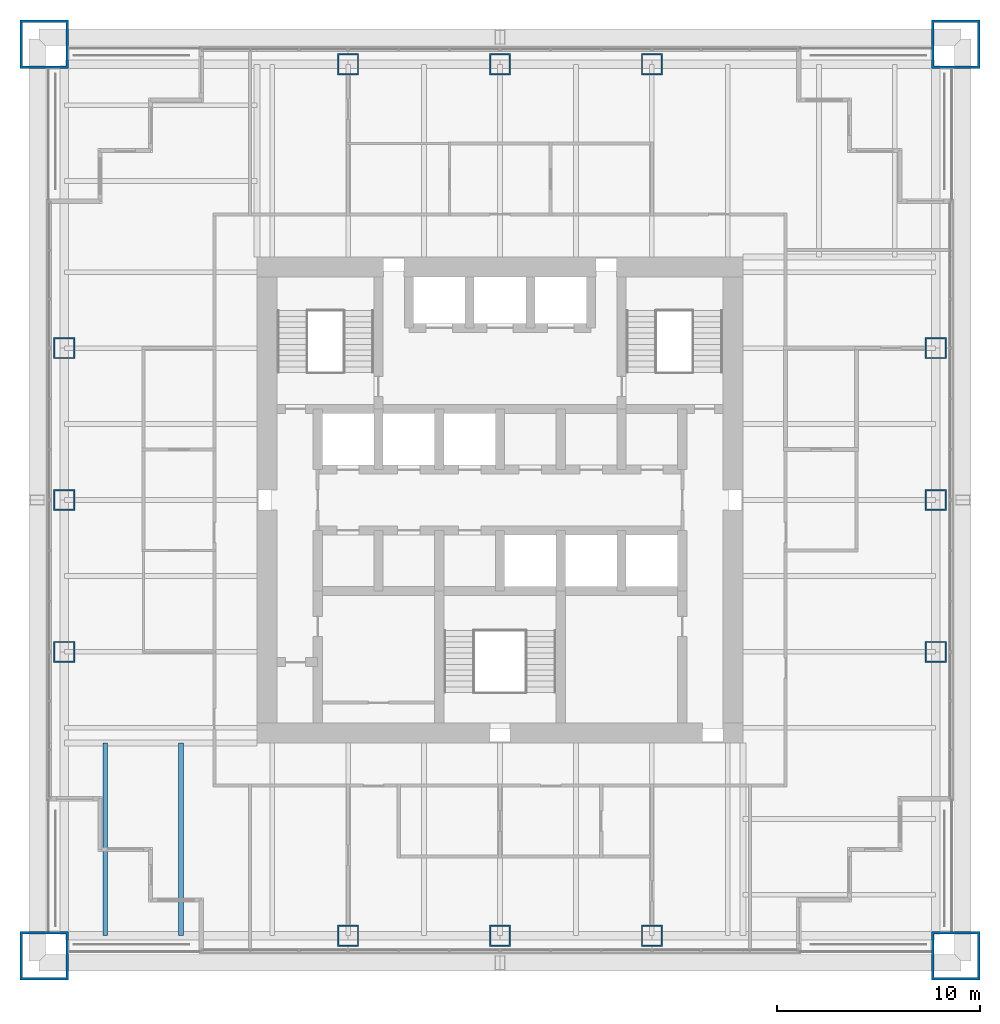
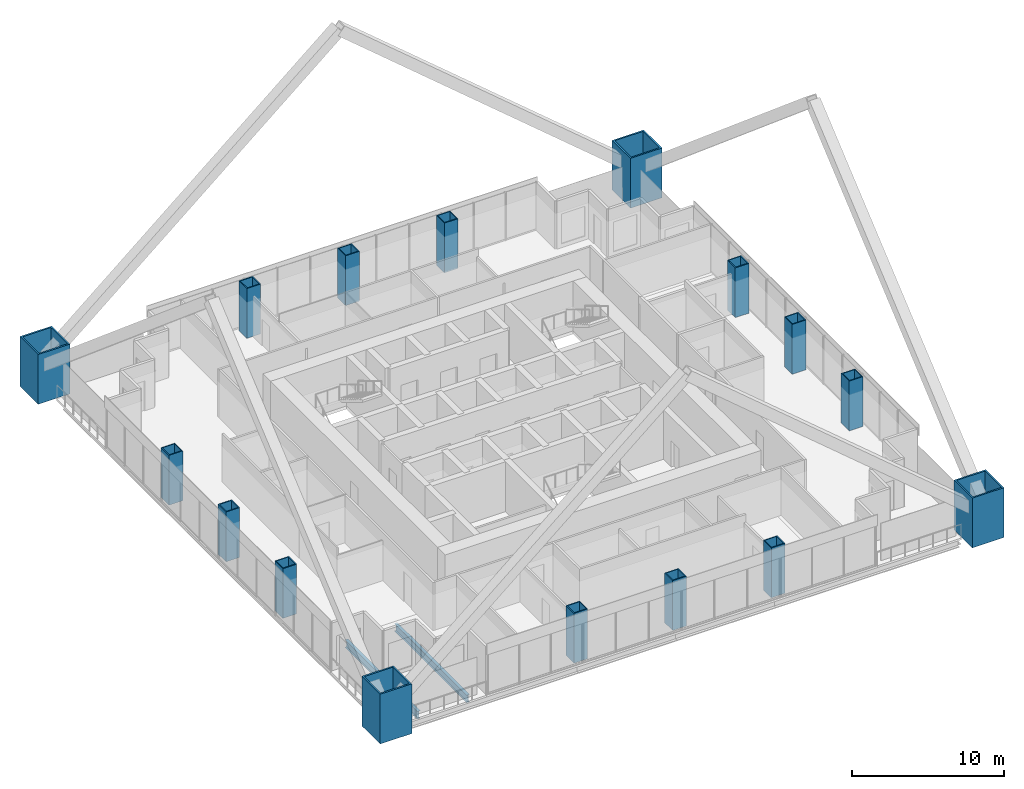
# One storey, part 1 of 19: 16 columns, 2 beams.
"""IFC4 building model written with IfcOpenShell, lengths in metres."""

from ifc_helpers import new_model, si_unit, direction, frame, origin, origin_2d, place, context, subcontext, project, spatial, hollow_rectangle, i_section, extrude, material, material_profile, profile_set, type_object, element, save


model = new_model("IFC4")

# Units and contexts
model_context = context("Model", 3, precision=1e-05, world=origin(), true_north=direction((0.0, 1.0)))
body_context = subcontext(model_context, "Body", "Model", "MODEL_VIEW")
ifc_project = project(units=[si_unit("LENGTHUNIT", "METRE"), si_unit("AREAUNIT", "SQUARE_METRE"), si_unit("VOLUMEUNIT", "CUBIC_METRE"), si_unit("PLANEANGLEUNIT", "RADIAN"), si_unit("MASSUNIT", "GRAM", prefix="KILO")], contexts=[model_context])

# Site, building, storey
site_placement = place(None, origin())
site = spatial("IfcSite", under=ifc_project, at=site_placement, CompositionType="ELEMENT")
building_placement = place(site_placement, origin())
building = spatial("IfcBuilding", under=site, at=building_placement, Name="Tarangal Relay Tower", CompositionType="ELEMENT")
storey_placement = place(building_placement, frame((0.0, 0.0, 213.89990234375)))
storey = spatial("IfcBuildingStorey", under=building, at=storey_placement, Name="L45", CompositionType="ELEMENT", Elevation=213.89990234375)

# Columns
ifc_material_1 = material(Name="Steel ASTM A572 Grade 42", Category="steel")
ifc_material_profile_1 = material_profile(ifc_material_1, hollow_rectangle(XDim=2.39990234375, YDim=2.39990234375, WallThickness=0.1201171875, at=origin_2d()), Name="BOX2400X2400X120")
ifc_profile_set_1 = profile_set([ifc_material_profile_1], Name="Steel ASTM A572 Grade 42")
column_type_1 = type_object("IfcColumnType", Name="Mega column BOX2400X2400X120", PredefinedType="COLUMN", material=ifc_profile_set_1)
for number, where, z_axis, x_axis, name in (
    (1, (22.5, 22.5, 0.0), (0.0, 0.0, 1.0), (1.0, 0.0, 0.0), "Mega column MC3 NE L45"),
    (2, (22.5, -22.5, 0.0), (0.0, 0.0, 1.0), (1.0, 0.0, 0.0), "Mega column MC3 SE L45"),
    (3, (-22.5, -22.5, 0.0), (0.0, 0.0, 1.0), (1.0, 0.0, 0.0), "Mega column MC3 SW L45"),
    (4, (-22.5, 22.5, 0.0), (0.0, 0.0, 1.0), (1.0, 0.0, 0.0), "Mega column MC3 NW L45"),
):
    element("IfcColumn", number, at=place(storey_placement, frame(where, z_axis=z_axis, x_axis=x_axis)), inside=storey, type_object=column_type_1, Name=name, PredefinedType="COLUMN", context=body_context, shape_type="SweptSolid", body=[
        extrude(hollow_rectangle(XDim=2.39990234375, YDim=2.39990234375, WallThickness=0.1201171875, at=origin_2d()), origin(), (0.0, 0.0, 1.0), 4.0),
    ])
ifc_material_2 = material(Name="Steel ASTM A572 Grade 50", Category="steel")
ifc_material_profile_2 = material_profile(ifc_material_2, hollow_rectangle(XDim=1.050048828125, YDim=1.050048828125, WallThickness=0.070068359375, at=origin_2d()), Name="BOX1050X1050X70")
ifc_profile_set_2 = profile_set([ifc_material_profile_2], Name="Steel ASTM A572 Grade 50")
column_type_2 = type_object("IfcColumnType", Name="Perimeter column BOX1050X1050X70", PredefinedType="COLUMN", material=ifc_profile_set_2)
for number, where, z_axis, x_axis, name in (
    (5, (-7.5, 21.514892578125, 0.0), (0.0, 0.0, 1.0), (1.0, 0.0, 0.0), "Perimeter column PC4 N L45"),
    (6, (0.0, 21.514892578125, 0.0), (0.0, 0.0, 1.0), (1.0, 0.0, 0.0), "Perimeter column PC4 N L45"),
    (7, (7.5, 21.514892578125, 0.0), (0.0, 0.0, 1.0), (1.0, 0.0, 0.0), "Perimeter column PC4 N L45"),
    (8, (21.514892578125, 7.5, 0.0), (0.0, 0.0, 1.0), (1.0, 0.0, 0.0), "Perimeter column PC4 E L45"),
    (9, (21.514892578125, 0.0, 0.0), (0.0, 0.0, 1.0), (1.0, 0.0, 0.0), "Perimeter column PC4 E L45"),
    (10, (21.514892578125, -7.5, 0.0), (0.0, 0.0, 1.0), (1.0, 0.0, 0.0), "Perimeter column PC4 E L45"),
    (11, (7.5, -21.514892578125, 0.0), (0.0, 0.0, 1.0), (1.0, 0.0, 0.0), "Perimeter column PC4 S L45"),
    (12, (0.0, -21.514892578125, 0.0), (0.0, 0.0, 1.0), (1.0, 0.0, 0.0), "Perimeter column PC4 S L45"),
    (13, (-7.5, -21.514892578125, 0.0), (0.0, 0.0, 1.0), (1.0, 0.0, 0.0), "Perimeter column PC4 S L45"),
    (14, (-21.514892578125, -7.5, 0.0), (0.0, 0.0, 1.0), (1.0, 0.0, 0.0), "Perimeter column PC4 W L45"),
    (15, (-21.514892578125, 0.0, 0.0), (0.0, 0.0, 1.0), (1.0, 0.0, 0.0), "Perimeter column PC4 W L45"),
    (16, (-21.514892578125, 7.5, 0.0), (0.0, 0.0, 1.0), (1.0, 0.0, 0.0), "Perimeter column PC4 W L45"),
):
    element("IfcColumn", number, at=place(storey_placement, frame(where, z_axis=z_axis, x_axis=x_axis)), inside=storey, type_object=column_type_2, Name=name, PredefinedType="COLUMN", context=body_context, shape_type="SweptSolid", body=[
        extrude(hollow_rectangle(XDim=1.050048828125, YDim=1.050048828125, WallThickness=0.070068359375, at=origin_2d()), origin(), (0.0, 0.0, 1.0), 4.0),
    ])

# Beams
ifc_material_3 = material(Name="Steel ASTM A992", Category="steel")
ifc_material_profile_3 = material_profile(ifc_material_3, i_section(OverallWidth=0.227783203125, OverallDepth=0.60205078125, WebThickness=0.010498046875, FlangeThickness=0.014892578125, at=origin_2d()), Name="W24X68")
ifc_profile_set_3 = profile_set([ifc_material_profile_3], Name="Steel ASTM A992")
beam_type = type_object("IfcBeamType", Name="Corner beam W24X68", PredefinedType="JOIST", material=ifc_profile_set_3)
for number, where, z_axis, x_axis, name in (
    (17, (-15.75, -12.0, -0.450927734375), (0.0, -1.0, 0.0), (1.0, 0.0, 0.0), "Corner beam CB11 S L45"),
    (18, (-19.5, -12.0, -0.450927734375), (0.0, -1.0, 0.0), (1.0, 0.0, 0.0), "Corner beam CB11 S L45"),
):
    element("IfcBeam", number, at=place(storey_placement, frame(where, z_axis=z_axis, x_axis=x_axis)), inside=storey, type_object=beam_type, Name=name, PredefinedType="JOIST", context=body_context, shape_type="SweptSolid", body=[
        extrude(i_section(OverallWidth=0.227783203125, OverallDepth=0.60205078125, WebThickness=0.010498046875, FlangeThickness=0.014892578125, at=origin_2d()), origin(), (0.0, 0.0, 1.0), 9.514892578125),
    ])

save(model, "model.ifc")
